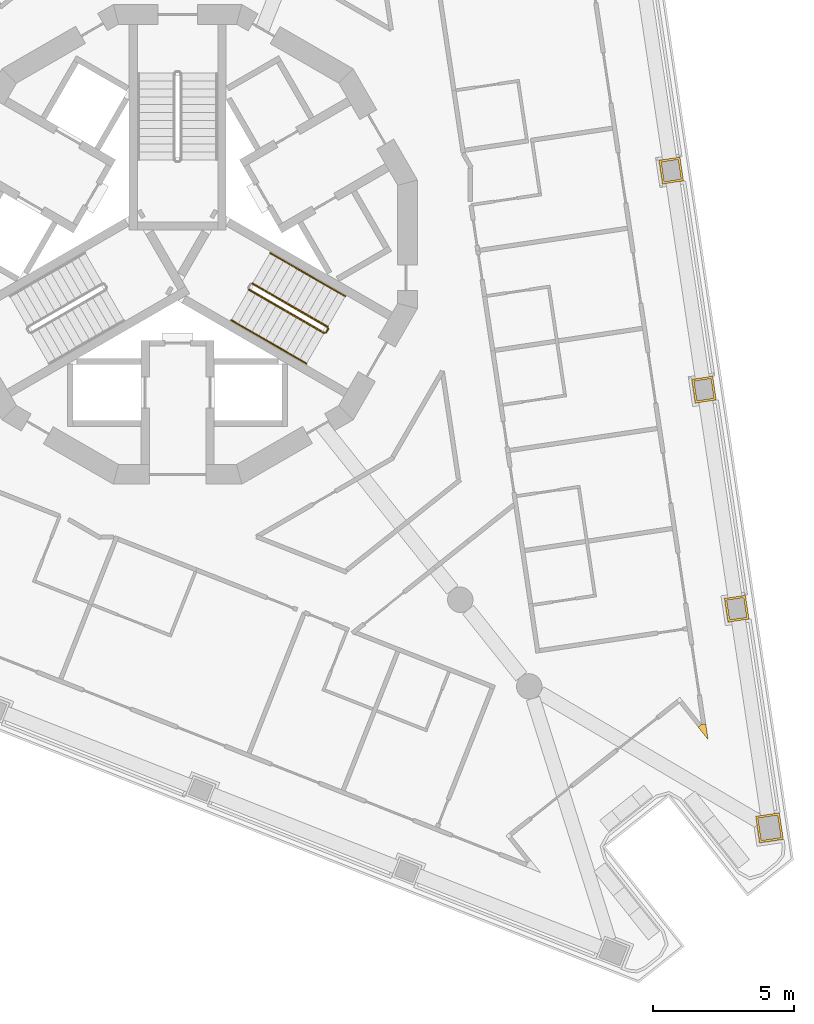
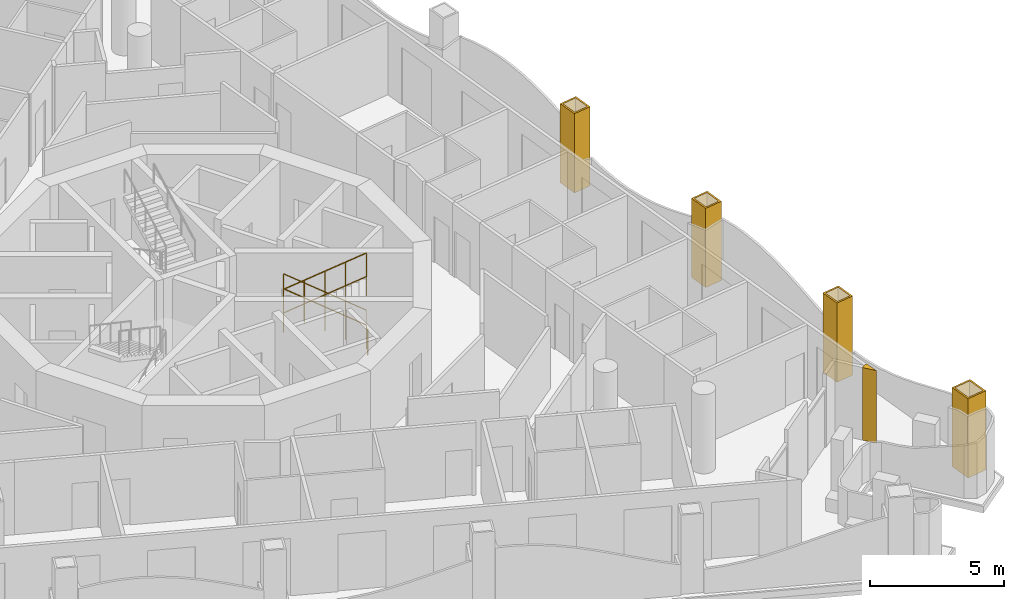
# One storey, part 14 of 16: 7 railings, 5 coverings.
"""IFC4 building model written with IfcOpenShell, lengths in metres."""

from ifc_helpers import new_model, si_unit, direction, frame, origin, origin_2d, place, context, subcontext, project, spatial, polyline, circle, outline, extrude, material, layer, layer_set, type_object, element, save


model = new_model("IFC4")

# Units and contexts
model_context = context("Model", 3, precision=1e-05, world=origin(), true_north=direction((0.0, 1.0)))
body_context = subcontext(model_context, "Body", "Model", "MODEL_VIEW")
ifc_project = project(units=[si_unit("LENGTHUNIT", "METRE"), si_unit("AREAUNIT", "SQUARE_METRE"), si_unit("VOLUMEUNIT", "CUBIC_METRE"), si_unit("PLANEANGLEUNIT", "RADIAN"), si_unit("MASSUNIT", "GRAM", prefix="KILO")], contexts=[model_context])

# Site, building, storey
site_placement = place(None, origin())
site = spatial("IfcSite", under=ifc_project, at=site_placement, CompositionType="ELEMENT")
building_placement = place(site_placement, origin())
building = spatial("IfcBuilding", under=site, at=building_placement, Name="Trine Commons Tower", CompositionType="ELEMENT")
storey_placement = place(building_placement, frame((0.0, 0.0, 223.199951171875)))
storey = spatial("IfcBuildingStorey", under=building, at=storey_placement, Name="L58", CompositionType="ELEMENT", Elevation=223.199951171875)

# Coverings
ifc_material_1 = material(Name="Aluminium-framed insulated wall panel", Category="aluminium")
ifc_layer_1 = layer(ifc_material_1, 0.14990234375)
ifc_layer_set_1 = layer_set([ifc_layer_1], Name="Aluminium-framed insulated wall panel")
covering_type_1 = type_object("IfcCoveringType", Name="Glazing corner post, aluminium", PredefinedType="CLADDING", material=ifc_layer_set_1)
covering_1_placement = place(storey_placement, origin())
element("IfcCovering", 1, at=covering_1_placement, inside=storey, type_object=covering_type_1, Name="Glazing corner post 6-06", PredefinedType="CLADDING", context=body_context, shape_type="SweptSolid", body=[
    extrude(outline(polyline([(98.4521484375, 45.390625), (98.800537109375, 44.95263671875), (98.718017578125, 45.506103515625), (98.569580078125, 45.484130859375), (98.4521484375, 45.390625)])), origin(), (0.0, 0.0, 1.0), 3.300048828125),
])
ifc_material_2 = material(Name="Limestone, honed", Category="masonry")
ifc_layer_2 = layer(ifc_material_2, 0.074951171875)
ifc_layer_set_2 = layer_set([ifc_layer_2], Name="Limestone, honed")
covering_type_2 = type_object("IfcCoveringType", Name="Limestone column cladding 75", PredefinedType="CLADDING", material=ifc_layer_set_2)
covering_2_placement = place(storey_placement, origin())
element("IfcCovering", 2, at=covering_2_placement, inside=storey, type_object=covering_type_2, Name="Limestone pier cladding 6-18", PredefinedType="CLADDING", context=body_context, shape_type="SweptSolid", body=[
    extrude(outline(polyline([(97.80419921875, 65.590576171875), (97.0625, 65.479736328125), (97.18798828125, 64.638916015625), (97.9296875, 64.75), (97.80419921875, 65.590576171875)]), holes=[polyline([(97.7412109375, 65.50537109375), (97.147705078125, 65.41650390625), (97.251220703125, 64.724365234375), (97.844482421875, 64.81298828125), (97.7412109375, 65.50537109375)])]), origin(), (0.0, 0.0, 1.0), 3.60009765625),
])
covering_3_placement = place(storey_placement, origin())
element("IfcCovering", 3, at=covering_3_placement, inside=storey, type_object=covering_type_2, Name="Limestone pier cladding 6-19", PredefinedType="CLADDING", context=body_context, shape_type="SweptSolid", body=[
    extrude(outline(polyline([(98.964599609375, 57.826171875), (98.222900390625, 57.71533203125), (98.348388671875, 56.87451171875), (99.090087890625, 56.985595703125), (98.964599609375, 57.826171875)]), holes=[polyline([(98.901611328125, 57.740966796875), (98.30810546875, 57.652099609375), (98.41162109375, 56.9599609375), (99.0048828125, 57.048583984375), (98.901611328125, 57.740966796875)])]), origin(), (0.0, 0.0, 1.0), 3.60009765625),
])
covering_4_placement = place(storey_placement, origin())
element("IfcCovering", 4, at=covering_4_placement, inside=storey, type_object=covering_type_2, Name="Limestone pier cladding 6-20", PredefinedType="CLADDING", context=body_context, shape_type="SweptSolid", body=[
    extrude(outline(polyline([(100.125, 50.06201171875), (99.38330078125, 49.950927734375), (99.5087890625, 49.1103515625), (100.25048828125, 49.22119140625), (100.125, 50.06201171875)]), holes=[polyline([(100.06201171875, 49.9765625), (99.468505859375, 49.887939453125), (99.572021484375, 49.195556640625), (100.165283203125, 49.2841796875), (100.06201171875, 49.9765625)])]), origin(), (0.0, 0.0, 1.0), 3.60009765625),
])
covering_5_placement = place(storey_placement, origin())
element("IfcCovering", 5, at=covering_5_placement, inside=storey, type_object=covering_type_2, Name="Limestone pier cladding 6-21", PredefinedType="CLADDING", context=body_context, shape_type="SweptSolid", body=[
    extrude(outline(polyline([(101.327392578125, 42.354248046875), (100.48681640625, 42.228759765625), (100.627197265625, 41.2890625), (101.4677734375, 41.414794921875), (101.327392578125, 42.354248046875)]), holes=[polyline([(101.264404296875, 42.26904296875), (100.572021484375, 42.16552734375), (100.690185546875, 41.37451171875), (101.382568359375, 41.477783203125), (101.264404296875, 42.26904296875)])]), origin(), (0.0, 0.0, 1.0), 3.60009765625),
])

# Railings
ifc_material_3 = material(Name="Stainless steel balustrade", Category="steel")
railing_type_1 = type_object("IfcRailingType", Name="Stair guard, steel balustrade 1100", PredefinedType="GUARDRAIL", material=ifc_material_3)
railing_1_placement = place(storey_placement, frame((85.31982421875, 59.572998046875, 0.150146484375)))
element("IfcRailing", 6, at=railing_1_placement, inside=storey, type_object=railing_type_1, Name="L58 ST3C stair guard 1", PredefinedType="GUARDRAIL", context=body_context, shape_type="SweptSolid", body=[
    extrude(circle(Radius=0.02392578125, at=origin_2d()), frame((0.0, 0.0, 1.076171875), z_axis=(-0.76340495495, 0.440743040072, 0.472184759798), x_axis=(-0.499992328818, -0.866029832698, 0.0)), (0.0, 0.0, 1.0), 3.494140625),
    extrude(circle(Radius=0.02099609375, at=origin_2d()), origin(), (0.0, 0.0, 1.0), 1.052001953125),
    extrude(circle(Radius=0.02099609375, at=origin_2d()), frame((-0.6669921875, 0.385009765625, 0.41259765625)), (0.0, 0.0, 1.0), 1.052001953125),
    extrude(circle(Radius=0.02099609375, at=origin_2d()), frame((-1.333740234375, 0.77001953125, 0.824951171875)), (0.0, 0.0, 1.0), 1.052001953125),
    extrude(circle(Radius=0.02099609375, at=origin_2d()), frame((-2.00048828125, 1.155029296875, 1.2373046875)), (0.0, 0.0, 1.0), 1.052001953125),
    extrude(circle(Radius=0.02099609375, at=origin_2d()), frame((-2.66748046875, 1.5400390625, 1.64990234375)), (0.0, 0.0, 1.0), 1.052001953125),
])
railing_2_placement = place(storey_placement, frame((82.52734375, 60.896484375, 1.949951171875)))
element("IfcRailing", 7, at=railing_2_placement, inside=storey, type_object=railing_type_1, Name="L58 ST3C stair guard 3", PredefinedType="GUARDRAIL", context=body_context, shape_type="SweptSolid", body=[
    extrude(circle(Radius=0.02392578125, at=origin_2d()), frame((0.0, 0.0, 1.076171875), z_axis=(0.763379768245, -0.440728498818, 0.472239049384), x_axis=(0.499992328818, 0.866029832698, 0.0)), (0.0, 0.0, 1.0), 3.494384765625),
    extrude(circle(Radius=0.02099609375, at=origin_2d()), origin(), (0.0, 0.0, 1.0), 1.052001953125),
    extrude(circle(Radius=0.02099609375, at=origin_2d()), frame((0.6669921875, -0.385009765625, 0.41259765625)), (0.0, 0.0, 1.0), 1.052001953125),
    extrude(circle(Radius=0.02099609375, at=origin_2d()), frame((1.333740234375, -0.77001953125, 0.8251953125)), (0.0, 0.0, 1.0), 1.052001953125),
    extrude(circle(Radius=0.02099609375, at=origin_2d()), frame((2.00048828125, -1.155029296875, 1.237548828125)), (0.0, 0.0, 1.0), 1.052001953125),
    extrude(circle(Radius=0.02099609375, at=origin_2d()), frame((2.66748046875, -1.5400390625, 1.650146484375)), (0.0, 0.0, 1.0), 1.052001953125),
])
railing_3_placement = place(storey_placement, frame((85.338134765625, 59.504638671875, 0.0)))
element("IfcRailing", 8, at=railing_3_placement, inside=storey, type_object=railing_type_1, Name="L58 ST3C stair guard 4", PredefinedType="GUARDRAIL", context=body_context, shape_type="SweptSolid", body=[
    extrude(circle(Radius=0.02392578125, at=origin_2d()), frame((0.0, 0.0, 1.076171875), z_axis=(-0.499816412211, -0.866131372301, 0.0), x_axis=(0.866131372301, -0.499816412211, 0.0)), (0.0, 0.0, 1.0), 0.14990234375),
    extrude(circle(Radius=0.02099609375, at=origin_2d()), origin(), (0.0, 0.0, 1.0), 1.052001953125),
    extrude(circle(Radius=0.02099609375, at=origin_2d()), frame((-0.074951171875, -0.1298828125, 0.0)), (0.0, 0.0, 1.0), 1.052001953125),
])
ifc_material_4 = material(Name="Stainless steel handrail", Category="steel")
railing_type_2 = type_object("IfcRailingType", Name="Stair handrail, steel 900", PredefinedType="HANDRAIL", material=ifc_material_4)
for number, where, name in (
    (9, (85.94482421875, 60.655517578125, 0.150146484375), "L58 ST3C stair handrail 1"),
    (10, (84.611083984375, 61.425537109375, 0.97509765625), "L58 ST3C stair handrail 2"),
):
    element("IfcRailing", number, at=place(storey_placement, frame(where)), inside=storey, type_object=railing_type_2, Name=name, PredefinedType="HANDRAIL", context=body_context, shape_type="SweptSolid", body=[
        extrude(circle(Radius=0.02099609375, at=origin_2d()), frame((0.0, 0.0, 0.87890625), z_axis=(-0.76340495495, 0.440743040072, 0.472184759798), x_axis=(-0.499992328818, -0.866029832698, 0.0)), (0.0, 0.0, 1.0), 1.7470703125),
        extrude(circle(Radius=0.01513671875, at=origin_2d()), origin(), (0.0, 0.0, 1.0), 0.85791015625),
        extrude(circle(Radius=0.01513671875, at=origin_2d()), frame((-0.6669921875, 0.385009765625, 0.41259765625)), (0.0, 0.0, 1.0), 0.85791015625),
        extrude(circle(Radius=0.01513671875, at=origin_2d()), frame((-1.333740234375, 0.77001953125, 0.824951171875)), (0.0, 0.0, 1.0), 0.85791015625),
    ])
railing_4_placement = place(storey_placement, frame((81.90234375, 59.81396484375, 1.949951171875)))
element("IfcRailing", 11, at=railing_4_placement, inside=storey, type_object=railing_type_2, Name="L58 ST3C stair handrail 3", PredefinedType="HANDRAIL", context=body_context, shape_type="SweptSolid", body=[
    extrude(circle(Radius=0.02099609375, at=origin_2d()), frame((0.0, 0.0, 0.87890625), z_axis=(0.763354580307, -0.440713956853, 0.472293333596), x_axis=(0.499992328818, 0.866029832698, 0.0)), (0.0, 0.0, 1.0), 1.747314453125),
    extrude(circle(Radius=0.01513671875, at=origin_2d()), origin(), (0.0, 0.0, 1.0), 0.85791015625),
    extrude(circle(Radius=0.01513671875, at=origin_2d()), frame((0.6669921875, -0.385009765625, 0.41259765625)), (0.0, 0.0, 1.0), 0.85791015625),
    extrude(circle(Radius=0.01513671875, at=origin_2d()), frame((1.333740234375, -0.77001953125, 0.8251953125)), (0.0, 0.0, 1.0), 0.85791015625),
])
railing_5_placement = place(storey_placement, frame((83.236083984375, 59.0439453125, 2.775146484375)))
element("IfcRailing", 12, at=railing_5_placement, inside=storey, type_object=railing_type_2, Name="L58 ST3C stair handrail 4", PredefinedType="HANDRAIL", context=body_context, shape_type="SweptSolid", body=[
    extrude(circle(Radius=0.02099609375, at=origin_2d()), frame((0.0, 0.0, 0.87890625), z_axis=(0.76340495495, -0.440743040072, 0.472184759798), x_axis=(0.499992328818, 0.866029832698, 0.0)), (0.0, 0.0, 1.0), 1.7470703125),
    extrude(circle(Radius=0.01513671875, at=origin_2d()), origin(), (0.0, 0.0, 1.0), 0.85791015625),
    extrude(circle(Radius=0.01513671875, at=origin_2d()), frame((0.6669921875, -0.385009765625, 0.41259765625)), (0.0, 0.0, 1.0), 0.85791015625),
    extrude(circle(Radius=0.01513671875, at=origin_2d()), frame((1.333740234375, -0.77001953125, 0.824951171875)), (0.0, 0.0, 1.0), 0.85791015625),
])

save(model, "model.ifc")
